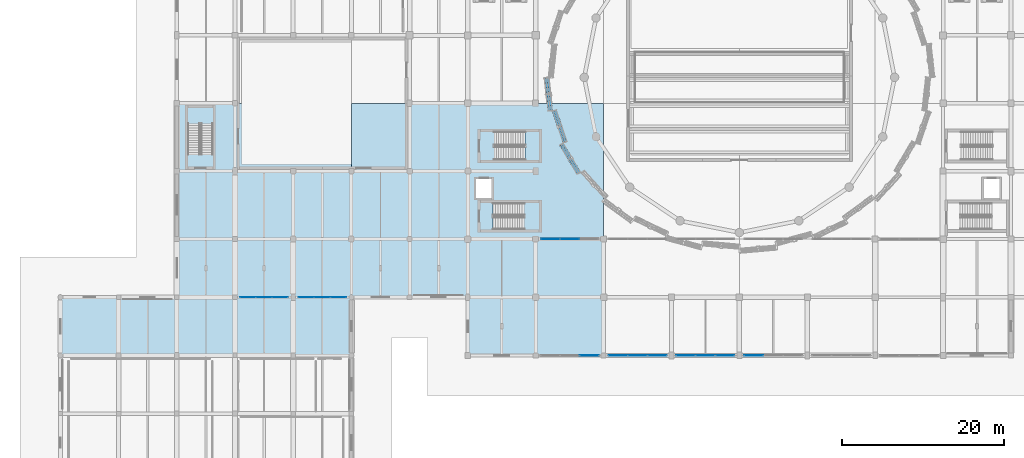
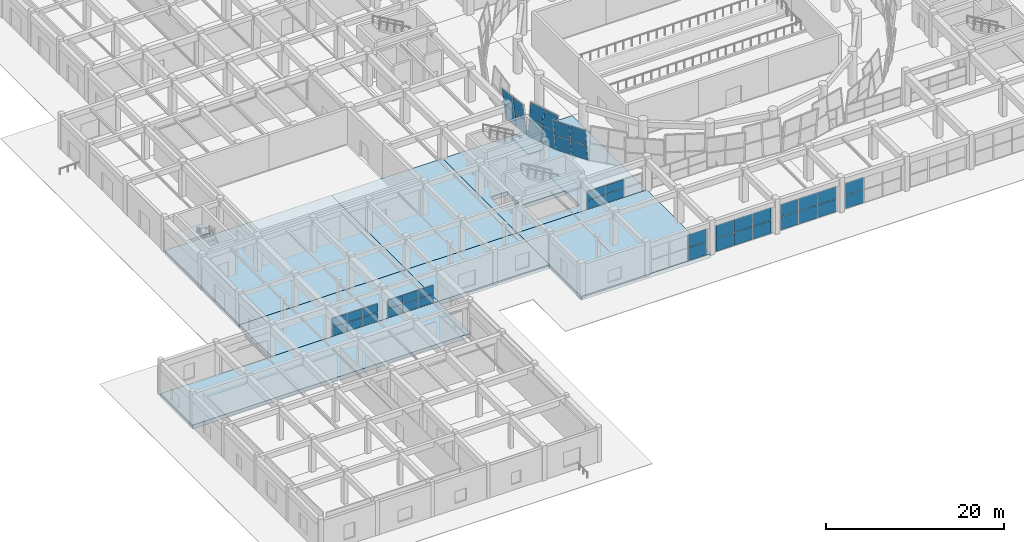
# One storey, part 39 of 72: 44 plates, 10 slabs, 13 elements without a shape of their own.
"""IFC4 building model written with IfcOpenShell, lengths in metres."""

from ifc_helpers import new_model, si_unit, direction, frame, origin, origin_2d, place, context, subcontext, project, spatial, polyline, rectangle, outline, extrude, material, layer, layer_set, type_object, element, aggregate, save


model = new_model("IFC4")

# Units and contexts
model_context = context("Model", 3, precision=1e-05, world=origin(), true_north=direction((0.0, 1.0)))
body_context = subcontext(model_context, "Body", "Model", "MODEL_VIEW")
ifc_project = project(units=[si_unit("LENGTHUNIT", "METRE"), si_unit("AREAUNIT", "SQUARE_METRE"), si_unit("VOLUMEUNIT", "CUBIC_METRE"), si_unit("PLANEANGLEUNIT", "RADIAN"), si_unit("MASSUNIT", "GRAM", prefix="KILO")], contexts=[model_context])

# Site, building, storey
site_placement = place(None, origin())
site = spatial("IfcSite", under=ifc_project, at=site_placement, CompositionType="ELEMENT")
building_placement = place(site_placement, origin())
building = spatial("IfcBuilding", under=site, at=building_placement, Name="Korsvaeld Concert Hall", CompositionType="ELEMENT")
storey_placement = place(building_placement, origin())
storey = spatial("IfcBuildingStorey", under=building, at=storey_placement, Name="L00", CompositionType="ELEMENT", Elevation=0.0)

# Curtain wall, plates
ifc_material_1 = material(Name="Anodised bronze and ceramic-fritted safety glass", Category="glass")
curtain_wall_type_1 = type_object("IfcCurtainWallType", Name="CW-TYPE-11", PredefinedType="USERDEFINED", material=ifc_material_1)
curtain_wall_1_placement = place(storey_placement, origin())
curtain_wall_1 = element("IfcCurtainWall", 1, at=curtain_wall_1_placement, inside=storey, type_object=curtain_wall_type_1, Name="Wintergarden foyer curtain wall L00-03", ObjectType="CURTAIN WALL", PredefinedType="USERDEFINED")
ifc_material_2 = material(Name="Clear acoustic triple safety glazing", Category="glass")
ifc_layer_1 = layer(ifc_material_2, 0.0439453125)
ifc_layer_set_1 = layer_set([ifc_layer_1], Name="Clear acoustic triple safety glazing")
plate_type_1 = type_object("IfcPlateType", Name="CWP-CLEAR-44", PredefinedType="CURTAIN_PANEL", material=ifc_layer_set_1)
plate_1_placement = place(storey_placement, frame((85.78173828125, 28.800048828125, 0.06005859375), z_axis=(0.0, 0.0, 1.0), x_axis=(-1.0, 0.0, 0.0)))
plate_1 = element("IfcPlate", 2, at=plate_1_placement, type_object=plate_type_1, Name="CW-11 panel 3.1", PredefinedType="CURTAIN_PANEL", context=body_context, shape_type="SweptSolid", body=[
    extrude(rectangle(XDim=2.34326171875, YDim=0.0439453125, at=origin_2d()), origin(), (0.0, 0.0, 1.0), 1.72998046875),
])
plate_2_placement = place(storey_placement, frame((85.78173828125, 28.800048828125, 1.85009765625), z_axis=(0.0, 0.0, 1.0), x_axis=(-1.0, 0.0, 0.0)))
plate_2 = element("IfcPlate", 3, at=plate_2_placement, type_object=plate_type_1, Name="CW-11 panel 3.2", PredefinedType="CURTAIN_PANEL", context=body_context, shape_type="SweptSolid", body=[
    extrude(rectangle(XDim=2.34326171875, YDim=0.0439453125, at=origin_2d()), origin(), (0.0, 0.0, 1.0), 1.72998046875),
])
aggregate(curtain_wall_1, [plate_1, plate_2])

curtain_wall_type_2 = type_object("IfcCurtainWallType", Name="CW-TYPE-12", PredefinedType="USERDEFINED", material=ifc_material_1)
curtain_wall_2_placement = place(storey_placement, origin())
curtain_wall_2 = element("IfcCurtainWall", 4, at=curtain_wall_2_placement, inside=storey, type_object=curtain_wall_type_2, Name="Wintergarden foyer curtain wall L00-04", ObjectType="CURTAIN WALL", PredefinedType="USERDEFINED")
plate_3_placement = place(storey_placement, frame((82.21826171875, 28.800048828125, 0.06005859375), z_axis=(0.0, 0.0, 1.0), x_axis=(-1.0, 0.0, 0.0)))
plate_3 = element("IfcPlate", 5, at=plate_3_placement, type_object=plate_type_1, Name="CW-12 panel 1.1", PredefinedType="CURTAIN_PANEL", context=body_context, shape_type="SweptSolid", body=[
    extrude(rectangle(XDim=2.34326171875, YDim=0.0439453125, at=origin_2d()), origin(), (0.0, 0.0, 1.0), 1.72998046875),
])
plate_4_placement = place(storey_placement, frame((82.21826171875, 28.800048828125, 1.85009765625), z_axis=(0.0, 0.0, 1.0), x_axis=(-1.0, 0.0, 0.0)))
plate_4 = element("IfcPlate", 6, at=plate_4_placement, type_object=plate_type_1, Name="CW-12 panel 1.2", PredefinedType="CURTAIN_PANEL", context=body_context, shape_type="SweptSolid", body=[
    extrude(rectangle(XDim=2.34326171875, YDim=0.0439453125, at=origin_2d()), origin(), (0.0, 0.0, 1.0), 1.72998046875),
])
plate_5_placement = place(storey_placement, frame((79.800048828125, 28.800048828125, 0.06005859375), z_axis=(0.0, 0.0, 1.0), x_axis=(-1.0, 0.0, 0.0)))
plate_5 = element("IfcPlate", 7, at=plate_5_placement, type_object=plate_type_1, Name="CW-12 panel 2.1", PredefinedType="CURTAIN_PANEL", context=body_context, shape_type="SweptSolid", body=[
    extrude(rectangle(XDim=2.373291015625, YDim=0.0439453125, at=origin_2d()), origin(), (0.0, 0.0, 1.0), 1.72998046875),
])
plate_6_placement = place(storey_placement, frame((79.800048828125, 28.800048828125, 1.85009765625), z_axis=(0.0, 0.0, 1.0), x_axis=(-1.0, 0.0, 0.0)))
plate_6 = element("IfcPlate", 8, at=plate_6_placement, type_object=plate_type_1, Name="CW-12 panel 2.2", PredefinedType="CURTAIN_PANEL", context=body_context, shape_type="SweptSolid", body=[
    extrude(rectangle(XDim=2.373291015625, YDim=0.0439453125, at=origin_2d()), origin(), (0.0, 0.0, 1.0), 1.72998046875),
])
plate_7_placement = place(storey_placement, frame((77.381591796875, 28.800048828125, 0.06005859375), z_axis=(0.0, 0.0, 1.0), x_axis=(-1.0, 0.0, 0.0)))
plate_7 = element("IfcPlate", 9, at=plate_7_placement, type_object=plate_type_1, Name="CW-12 panel 3.1", PredefinedType="CURTAIN_PANEL", context=body_context, shape_type="SweptSolid", body=[
    extrude(rectangle(XDim=2.34326171875, YDim=0.0439453125, at=origin_2d()), origin(), (0.0, 0.0, 1.0), 1.72998046875),
])
plate_8_placement = place(storey_placement, frame((77.381591796875, 28.800048828125, 1.85009765625), z_axis=(0.0, 0.0, 1.0), x_axis=(-1.0, 0.0, 0.0)))
plate_8 = element("IfcPlate", 10, at=plate_8_placement, type_object=plate_type_1, Name="CW-12 panel 3.2", PredefinedType="CURTAIN_PANEL", context=body_context, shape_type="SweptSolid", body=[
    extrude(rectangle(XDim=2.34326171875, YDim=0.0439453125, at=origin_2d()), origin(), (0.0, 0.0, 1.0), 1.72998046875),
])
aggregate(curtain_wall_2, [plate_3, plate_4, plate_5, plate_6, plate_7, plate_8])

curtain_wall_type_3 = type_object("IfcCurtainWallType", Name="CW-TYPE-13", PredefinedType="USERDEFINED", material=ifc_material_1)
curtain_wall_3_placement = place(storey_placement, origin())
curtain_wall_3 = element("IfcCurtainWall", 11, at=curtain_wall_3_placement, inside=storey, type_object=curtain_wall_type_3, Name="Wintergarden foyer curtain wall L00-05", ObjectType="CURTAIN WALL", PredefinedType="USERDEFINED")
plate_9_placement = place(storey_placement, frame((73.818359375, 28.800048828125, 0.06005859375), z_axis=(0.0, 0.0, 1.0), x_axis=(-1.0, 0.0, 0.0)))
plate_9 = element("IfcPlate", 12, at=plate_9_placement, type_object=plate_type_1, Name="CW-13 panel 1.1", PredefinedType="CURTAIN_PANEL", context=body_context, shape_type="SweptSolid", body=[
    extrude(rectangle(XDim=2.34326171875, YDim=0.0439453125, at=origin_2d()), origin(), (0.0, 0.0, 1.0), 1.7548828125),
])
plate_10_placement = place(storey_placement, frame((73.818359375, 28.800048828125, 1.875), z_axis=(0.0, 0.0, 1.0), x_axis=(-1.0, 0.0, 0.0)))
plate_10 = element("IfcPlate", 13, at=plate_10_placement, type_object=plate_type_1, Name="CW-13 panel 1.2", PredefinedType="CURTAIN_PANEL", context=body_context, shape_type="SweptSolid", body=[
    extrude(rectangle(XDim=2.34326171875, YDim=0.0439453125, at=origin_2d()), origin(), (0.0, 0.0, 1.0), 1.7548828125),
])
plate_11_placement = place(storey_placement, frame((71.39990234375, 28.800048828125, 0.06005859375), z_axis=(0.0, 0.0, 1.0), x_axis=(-1.0, 0.0, 0.0)))
plate_11 = element("IfcPlate", 14, at=plate_11_placement, type_object=plate_type_1, Name="CW-13 panel 2.1", PredefinedType="CURTAIN_PANEL", context=body_context, shape_type="SweptSolid", body=[
    extrude(rectangle(XDim=2.373291015625, YDim=0.0439453125, at=origin_2d()), origin(), (0.0, 0.0, 1.0), 1.7548828125),
])
plate_12_placement = place(storey_placement, frame((71.39990234375, 28.800048828125, 1.875), z_axis=(0.0, 0.0, 1.0), x_axis=(-1.0, 0.0, 0.0)))
plate_12 = element("IfcPlate", 15, at=plate_12_placement, type_object=plate_type_1, Name="CW-13 panel 2.2", PredefinedType="CURTAIN_PANEL", context=body_context, shape_type="SweptSolid", body=[
    extrude(rectangle(XDim=2.373291015625, YDim=0.0439453125, at=origin_2d()), origin(), (0.0, 0.0, 1.0), 1.7548828125),
])
plate_13_placement = place(storey_placement, frame((68.981689453125, 28.800048828125, 0.06005859375), z_axis=(0.0, 0.0, 1.0), x_axis=(-1.0, 0.0, 0.0)))
plate_13 = element("IfcPlate", 16, at=plate_13_placement, type_object=plate_type_1, Name="CW-13 panel 3.1", PredefinedType="CURTAIN_PANEL", context=body_context, shape_type="SweptSolid", body=[
    extrude(rectangle(XDim=2.34326171875, YDim=0.0439453125, at=origin_2d()), origin(), (0.0, 0.0, 1.0), 1.7548828125),
])
plate_14_placement = place(storey_placement, frame((68.981689453125, 28.800048828125, 1.875), z_axis=(0.0, 0.0, 1.0), x_axis=(-1.0, 0.0, 0.0)))
plate_14 = element("IfcPlate", 17, at=plate_14_placement, type_object=plate_type_1, Name="CW-13 panel 3.2", PredefinedType="CURTAIN_PANEL", context=body_context, shape_type="SweptSolid", body=[
    extrude(rectangle(XDim=2.34326171875, YDim=0.0439453125, at=origin_2d()), origin(), (0.0, 0.0, 1.0), 1.7548828125),
])
aggregate(curtain_wall_3, [plate_9, plate_10, plate_11, plate_12, plate_13, plate_14])

curtain_wall_type_4 = type_object("IfcCurtainWallType", Name="CW-TYPE-14", PredefinedType="USERDEFINED", material=ifc_material_1)
curtain_wall_4_placement = place(storey_placement, origin())
curtain_wall_4 = element("IfcCurtainWall", 18, at=curtain_wall_4_placement, inside=storey, type_object=curtain_wall_type_4, Name="Wintergarden foyer curtain wall L00-06", ObjectType="CURTAIN WALL", PredefinedType="USERDEFINED")
plate_15_placement = place(storey_placement, frame((65.418212890625, 28.800048828125, 0.06005859375), z_axis=(0.0, 0.0, 1.0), x_axis=(-1.0, 0.0, 0.0)))
plate_15 = element("IfcPlate", 19, at=plate_15_placement, type_object=plate_type_1, Name="CW-14 panel 1.1", PredefinedType="CURTAIN_PANEL", context=body_context, shape_type="SweptSolid", body=[
    extrude(rectangle(XDim=2.34326171875, YDim=0.0439453125, at=origin_2d()), origin(), (0.0, 0.0, 1.0), 1.7548828125),
])
plate_16_placement = place(storey_placement, frame((65.418212890625, 28.800048828125, 1.875), z_axis=(0.0, 0.0, 1.0), x_axis=(-1.0, 0.0, 0.0)))
plate_16 = element("IfcPlate", 20, at=plate_16_placement, type_object=plate_type_1, Name="CW-14 panel 1.2", PredefinedType="CURTAIN_PANEL", context=body_context, shape_type="SweptSolid", body=[
    extrude(rectangle(XDim=2.34326171875, YDim=0.0439453125, at=origin_2d()), origin(), (0.0, 0.0, 1.0), 1.7548828125),
])
aggregate(curtain_wall_4, [plate_15, plate_16])

curtain_wall_5_placement = place(storey_placement, origin())
curtain_wall_5 = element("IfcCurtainWall", 21, at=curtain_wall_5_placement, inside=storey, type_object=curtain_wall_type_1, Name="Glazed foyer acoustic screen L00-19", ObjectType="CURTAIN WALL", PredefinedType="USERDEFINED")
plate_17_placement = place(storey_placement, frame((60.614990234375, 43.199951171875, 0.06005859375), z_axis=(0.0, 0.0, 1.0), x_axis=(1.0, 0.0, 0.0)))
plate_17 = element("IfcPlate", 22, at=plate_17_placement, type_object=plate_type_1, Name="CW-11 panel 1.1", PredefinedType="CURTAIN_PANEL", context=body_context, shape_type="SweptSolid", body=[
    extrude(rectangle(XDim=2.31005859375, YDim=0.0439453125, at=origin_2d()), origin(), (0.0, 0.0, 1.0), 1.18505859375),
])
plate_18_placement = place(storey_placement, frame((60.614990234375, 43.199951171875, 1.304931640625), z_axis=(0.0, 0.0, 1.0), x_axis=(1.0, 0.0, 0.0)))
plate_18 = element("IfcPlate", 23, at=plate_18_placement, type_object=plate_type_1, Name="CW-11 panel 1.2", PredefinedType="CURTAIN_PANEL", context=body_context, shape_type="SweptSolid", body=[
    extrude(rectangle(XDim=2.31005859375, YDim=0.0439453125, at=origin_2d()), origin(), (0.0, 0.0, 1.0), 1.18505859375),
])
plate_19_placement = place(storey_placement, frame((63.0, 43.199951171875, 0.06005859375), z_axis=(0.0, 0.0, 1.0), x_axis=(1.0, 0.0, 0.0)))
plate_19 = element("IfcPlate", 24, at=plate_19_placement, type_object=plate_type_1, Name="CW-11 panel 2.1", PredefinedType="CURTAIN_PANEL", context=body_context, shape_type="SweptSolid", body=[
    extrude(rectangle(XDim=2.340087890625, YDim=0.0439453125, at=origin_2d()), origin(), (0.0, 0.0, 1.0), 1.18505859375),
])
plate_20_placement = place(storey_placement, frame((63.0, 43.199951171875, 1.304931640625), z_axis=(0.0, 0.0, 1.0), x_axis=(1.0, 0.0, 0.0)))
plate_20 = element("IfcPlate", 25, at=plate_20_placement, type_object=plate_type_1, Name="CW-11 panel 2.2", PredefinedType="CURTAIN_PANEL", context=body_context, shape_type="SweptSolid", body=[
    extrude(rectangle(XDim=2.340087890625, YDim=0.0439453125, at=origin_2d()), origin(), (0.0, 0.0, 1.0), 1.18505859375),
])
aggregate(curtain_wall_5, [plate_17, plate_18, plate_19, plate_20])

curtain_wall_6_placement = place(storey_placement, origin())
curtain_wall_6 = element("IfcCurtainWall", 26, at=curtain_wall_6_placement, inside=storey, type_object=curtain_wall_type_1, Name="Glazed foyer acoustic screen L00-43", ObjectType="CURTAIN WALL", PredefinedType="USERDEFINED")
plate_21_placement = place(storey_placement, frame((23.215087890625, 36.0, 0.06005859375), z_axis=(0.0, 0.0, 1.0), x_axis=(1.0, 0.0, 0.0)))
plate_21 = element("IfcPlate", 27, at=plate_21_placement, type_object=plate_type_1, Name="CW-11 panel 1.1", PredefinedType="CURTAIN_PANEL", context=body_context, shape_type="SweptSolid", body=[
    extrude(rectangle(XDim=1.909912109375, YDim=0.0439453125, at=origin_2d()), origin(), (0.0, 0.0, 1.0), 1.18505859375),
])
plate_22_placement = place(storey_placement, frame((23.215087890625, 36.0, 1.304931640625), z_axis=(0.0, 0.0, 1.0), x_axis=(1.0, 0.0, 0.0)))
plate_22 = element("IfcPlate", 28, at=plate_22_placement, type_object=plate_type_1, Name="CW-11 panel 1.2", PredefinedType="CURTAIN_PANEL", context=body_context, shape_type="SweptSolid", body=[
    extrude(rectangle(XDim=1.909912109375, YDim=0.0439453125, at=origin_2d()), origin(), (0.0, 0.0, 1.0), 1.18505859375),
])
plate_23_placement = place(storey_placement, frame((25.199951171875, 36.0, 0.06005859375), z_axis=(0.0, 0.0, 1.0), x_axis=(1.0, 0.0, 0.0)))
plate_23 = element("IfcPlate", 29, at=plate_23_placement, type_object=plate_type_1, Name="CW-11 panel 2.1", PredefinedType="CURTAIN_PANEL", context=body_context, shape_type="SweptSolid", body=[
    extrude(rectangle(XDim=1.93994140625, YDim=0.0439453125, at=origin_2d()), origin(), (0.0, 0.0, 1.0), 1.18505859375),
])
plate_24_placement = place(storey_placement, frame((25.199951171875, 36.0, 1.304931640625), z_axis=(0.0, 0.0, 1.0), x_axis=(1.0, 0.0, 0.0)))
plate_24 = element("IfcPlate", 30, at=plate_24_placement, type_object=plate_type_1, Name="CW-11 panel 2.2", PredefinedType="CURTAIN_PANEL", context=body_context, shape_type="SweptSolid", body=[
    extrude(rectangle(XDim=1.93994140625, YDim=0.0439453125, at=origin_2d()), origin(), (0.0, 0.0, 1.0), 1.18505859375),
])
plate_25_placement = place(storey_placement, frame((27.18505859375, 36.0, 0.06005859375), z_axis=(0.0, 0.0, 1.0), x_axis=(1.0, 0.0, 0.0)))
plate_25 = element("IfcPlate", 31, at=plate_25_placement, type_object=plate_type_1, Name="CW-11 panel 3.1", PredefinedType="CURTAIN_PANEL", context=body_context, shape_type="SweptSolid", body=[
    extrude(rectangle(XDim=1.909912109375, YDim=0.0439453125, at=origin_2d()), origin(), (0.0, 0.0, 1.0), 1.18505859375),
])
plate_26_placement = place(storey_placement, frame((27.18505859375, 36.0, 1.304931640625), z_axis=(0.0, 0.0, 1.0), x_axis=(1.0, 0.0, 0.0)))
plate_26 = element("IfcPlate", 32, at=plate_26_placement, type_object=plate_type_1, Name="CW-11 panel 3.2", PredefinedType="CURTAIN_PANEL", context=body_context, shape_type="SweptSolid", body=[
    extrude(rectangle(XDim=1.909912109375, YDim=0.0439453125, at=origin_2d()), origin(), (0.0, 0.0, 1.0), 1.18505859375),
])
aggregate(curtain_wall_6, [plate_21, plate_22, plate_23, plate_24, plate_25, plate_26])

curtain_wall_7_placement = place(storey_placement, origin())
curtain_wall_7 = element("IfcCurtainWall", 33, at=curtain_wall_7_placement, inside=storey, type_object=curtain_wall_type_2, Name="Glazed foyer acoustic screen L00-44", ObjectType="CURTAIN WALL", PredefinedType="USERDEFINED")
plate_27_placement = place(storey_placement, frame((30.4150390625, 36.0, 0.06005859375), z_axis=(0.0, 0.0, 1.0), x_axis=(1.0, 0.0, 0.0)))
plate_27 = element("IfcPlate", 34, at=plate_27_placement, type_object=plate_type_1, Name="CW-12 panel 1.1", PredefinedType="CURTAIN_PANEL", context=body_context, shape_type="SweptSolid", body=[
    extrude(rectangle(XDim=1.909912109375, YDim=0.0439453125, at=origin_2d()), origin(), (0.0, 0.0, 1.0), 1.18505859375),
])
plate_28_placement = place(storey_placement, frame((30.4150390625, 36.0, 1.304931640625), z_axis=(0.0, 0.0, 1.0), x_axis=(1.0, 0.0, 0.0)))
plate_28 = element("IfcPlate", 35, at=plate_28_placement, type_object=plate_type_1, Name="CW-12 panel 1.2", PredefinedType="CURTAIN_PANEL", context=body_context, shape_type="SweptSolid", body=[
    extrude(rectangle(XDim=1.909912109375, YDim=0.0439453125, at=origin_2d()), origin(), (0.0, 0.0, 1.0), 1.18505859375),
])
plate_29_placement = place(storey_placement, frame((32.39990234375, 36.0, 0.06005859375), z_axis=(0.0, 0.0, 1.0), x_axis=(1.0, 0.0, 0.0)))
plate_29 = element("IfcPlate", 36, at=plate_29_placement, type_object=plate_type_1, Name="CW-12 panel 2.1", PredefinedType="CURTAIN_PANEL", context=body_context, shape_type="SweptSolid", body=[
    extrude(rectangle(XDim=1.93994140625, YDim=0.0439453125, at=origin_2d()), origin(), (0.0, 0.0, 1.0), 1.18505859375),
])
plate_30_placement = place(storey_placement, frame((32.39990234375, 36.0, 1.304931640625), z_axis=(0.0, 0.0, 1.0), x_axis=(1.0, 0.0, 0.0)))
plate_30 = element("IfcPlate", 37, at=plate_30_placement, type_object=plate_type_1, Name="CW-12 panel 2.2", PredefinedType="CURTAIN_PANEL", context=body_context, shape_type="SweptSolid", body=[
    extrude(rectangle(XDim=1.93994140625, YDim=0.0439453125, at=origin_2d()), origin(), (0.0, 0.0, 1.0), 1.18505859375),
])
plate_31_placement = place(storey_placement, frame((34.385009765625, 36.0, 0.06005859375), z_axis=(0.0, 0.0, 1.0), x_axis=(1.0, 0.0, 0.0)))
plate_31 = element("IfcPlate", 38, at=plate_31_placement, type_object=plate_type_1, Name="CW-12 panel 3.1", PredefinedType="CURTAIN_PANEL", context=body_context, shape_type="SweptSolid", body=[
    extrude(rectangle(XDim=1.909912109375, YDim=0.0439453125, at=origin_2d()), origin(), (0.0, 0.0, 1.0), 1.18505859375),
])
plate_32_placement = place(storey_placement, frame((34.385009765625, 36.0, 1.304931640625), z_axis=(0.0, 0.0, 1.0), x_axis=(1.0, 0.0, 0.0)))
plate_32 = element("IfcPlate", 39, at=plate_32_placement, type_object=plate_type_1, Name="CW-12 panel 3.2", PredefinedType="CURTAIN_PANEL", context=body_context, shape_type="SweptSolid", body=[
    extrude(rectangle(XDim=1.909912109375, YDim=0.0439453125, at=origin_2d()), origin(), (0.0, 0.0, 1.0), 1.18505859375),
])
aggregate(curtain_wall_7, [plate_27, plate_28, plate_29, plate_30, plate_31, plate_32])

curtain_wall_type_5 = type_object("IfcCurtainWallType", Name="CW-TYPE-01", PredefinedType="USERDEFINED", material=ifc_material_1)
curtain_wall_8_placement = place(storey_placement, origin())
curtain_wall_8 = element("IfcCurtainWall", 40, at=curtain_wall_8_placement, inside=storey, type_object=curtain_wall_type_5, Name="Crystal curtain-wall facet L00 F17", ObjectType="CURTAIN WALL", PredefinedType="USERDEFINED")
ifc_material_3 = material(Name="Translucent ceramic-fritted crystal safety glass", Category="glass")
ifc_layer_2 = layer(ifc_material_3, 0.035888671875)
ifc_layer_set_2 = layer_set([ifc_layer_2], Name="Translucent ceramic-fritted crystal safety glass")
plate_type_2 = type_object("IfcPlateType", Name="CWP-CRYSTAL-36", PredefinedType="CURTAIN_PANEL", material=ifc_layer_set_2)
plate_33_placement = place(storey_placement, frame((60.4013671875, 63.124755859375, 0.06005859375), z_axis=(-0.987654746524, -0.10829439526, -0.113183150799), x_axis=(0.108995565552, -0.994042235844, -6.934544e-06)))
plate_33 = element("IfcPlate", 41, at=plate_33_placement, type_object=plate_type_2, Name="CW-CRYS-L00-F17 ceramic-fritted crystal panel 1.1", PredefinedType="CURTAIN_PANEL", context=body_context, shape_type="SweptSolid", body=[
    extrude(outline(polyline([(0.0, 0.0), (1.9677913807868734, 3.469446951953614e-18), (1.9625226028582143, 2.1638203567417276), (-0.005242167683163164, 2.1637928889484397), (0.0, 0.0)])), frame((0.0, 0.0, 0.01806640625)), (0.0, 0.0, -1.0), 0.035888671875),
])
plate_34_placement = place(storey_placement, frame((60.150634765625, 63.1025390625, 2.27001953125), z_axis=(-0.987654746524, -0.10829439526, -0.113183150799), x_axis=(0.108993995054, -0.994042408046, 6.934638e-06)))
plate_34 = element("IfcPlate", 42, at=plate_34_placement, type_object=plate_type_2, Name="CW-CRYS-L00-F17 ceramic-fritted crystal panel 1.2", PredefinedType="CURTAIN_PANEL", context=body_context, shape_type="SweptSolid", body=[
    extrude(outline(polyline([(0.0, 0.0), (1.9677647707330874, 0.0), (1.9625528071767997, 2.1637929619124243), (-0.005238573418361289, 2.1638204300771586), (0.0, 0.0)])), frame((0.0, 0.0, 0.01806640625)), (0.0, 0.0, -1.0), 0.035888671875),
])
plate_35_placement = place(storey_placement, frame((60.6240234375, 61.09423828125, 0.06005859375), z_axis=(-0.987654789516, -0.108287642133, -0.113189236708), x_axis=(0.108988758695, -0.994042982189, -6.173804e-06)))
plate_35 = element("IfcPlate", 43, at=plate_35_placement, type_object=plate_type_2, Name="CW-CRYS-L00-F17 ceramic-fritted crystal panel 2.1", PredefinedType="CURTAIN_PANEL", context=body_context, shape_type="SweptSolid", body=[
    extrude(outline(polyline([(0.0, 0.0), (1.968034066205228, 0.0), (1.9627686016601027, 2.16382036550323), (-0.00499616968651099, 2.163795909486172), (0.0, 0.0)])), frame((0.0, 0.0, 0.01806640625)), (0.0, 0.0, -1.0), 0.035888671875),
])
plate_36_placement = place(storey_placement, frame((60.373291015625, 61.072021484375, 2.27001953125), z_axis=(-0.987653371732, -0.108294244517, -0.11319529103), x_axis=(0.108993994886, -0.994042408065, 6.935372e-06)))
plate_36 = element("IfcPlate", 44, at=plate_36_placement, type_object=plate_type_2, Name="CW-CRYS-L00-F17 ceramic-fritted crystal panel 2.2", PredefinedType="CURTAIN_PANEL", context=body_context, shape_type="SweptSolid", body=[
    extrude(outline(polyline([(0.0, 0.0), (1.9677647707330979, -3.469446951953614e-18), (1.9627954949314659, 2.163795970720444), (-0.004995885663664343, 2.1638234418314637), (0.0, 0.0)])), frame((0.0, 0.0, 0.01806640625)), (0.0, 0.0, -1.0), 0.035888671875),
])
aggregate(curtain_wall_8, [plate_33, plate_34, plate_35, plate_36])

curtain_wall_type_6 = type_object("IfcCurtainWallType", Name="CW-TYPE-02", PredefinedType="USERDEFINED", material=ifc_material_1)
curtain_wall_9_placement = place(storey_placement, origin())
curtain_wall_9 = element("IfcCurtainWall", 45, at=curtain_wall_9_placement, inside=storey, type_object=curtain_wall_type_6, Name="Crystal curtain-wall facet L00 F18", ObjectType="CURTAIN WALL", PredefinedType="USERDEFINED")
plate_37_placement = place(storey_placement, frame((60.884033203125, 58.994873046875, 0.06005859375), z_axis=(-0.941373275649, -0.317882160799, 0.11299242337), x_axis=(0.319931285196, -0.947440748938, 2.207461e-06)))
plate_37 = element("IfcPlate", 46, at=plate_37_placement, type_object=plate_type_2, Name="CW-CRYS-L00-F18 ceramic-fritted crystal panel 1.1", PredefinedType="CURTAIN_PANEL", context=body_context, shape_type="SweptSolid", body=[
    extrude(outline(polyline([(0.0, 0.0), (1.9862437568794762, 1.3877787807814457e-17), (2.0010230552188437, 2.1637549387204356), (0.01454798956277153, 2.163763764865277), (0.0, 0.0)])), frame((0.0, 0.0, 0.01806640625)), (0.0, 0.0, -1.0), 0.035888671875),
])
plate_38_placement = place(storey_placement, frame((61.126953125, 59.06103515625, 2.27001953125), z_axis=(-0.941373275649, -0.317882160799, 0.11299242337), x_axis=(0.319931285196, -0.947440748938, 2.207461e-06)))
plate_38 = element("IfcPlate", 47, at=plate_38_placement, type_object=plate_type_2, Name="CW-CRYS-L00-F18 ceramic-fritted crystal panel 1.2", PredefinedType="CURTAIN_PANEL", context=body_context, shape_type="SweptSolid", body=[
    extrude(outline(polyline([(0.0, 0.0), (1.9862437568794762, 1.3877787807814457e-17), (2.0010230552188437, 2.1637549387204356), (0.01454798956277153, 2.163763764865277), (0.0, 0.0)])), frame((0.0, 0.0, 0.01806640625)), (0.0, 0.0, -1.0), 0.035888671875),
])
plate_39_placement = place(storey_placement, frame((61.54345703125, 57.041748046875, 0.06005859375), z_axis=(-0.94136511925, -0.317900026649, 0.113010111568), x_axis=(0.319949676143, -0.947434538497, 0.0)))
plate_39 = element("IfcPlate", 48, at=plate_39_placement, type_object=plate_type_2, Name="CW-CRYS-L00-F18 ceramic-fritted crystal panel 2.1", PredefinedType="CURTAIN_PANEL", context=body_context, shape_type="SweptSolid", body=[
    extrude(outline(polyline([(0.0, 0.0), (1.9862437572585203, 0.0), (2.000791747576604, 2.163763765208145), (0.014547990318083723, 2.163763765208145), (0.0, 0.0)])), frame((0.0, 0.0, 0.01806640625)), (0.0, 0.0, -1.0), 0.035888671875),
])
plate_40_placement = place(storey_placement, frame((61.786376953125, 57.108154296875, 2.27001953125), z_axis=(-0.941386053967, -0.317825414212, 0.113045581412), x_axis=(0.319876348588, -0.947459298121, 4.331709e-06)))
plate_40 = element("IfcPlate", 49, at=plate_40_placement, type_object=plate_type_2, Name="CW-CRYS-L00-F18 ceramic-fritted crystal panel 2.2", PredefinedType="CURTAIN_PANEL", context=body_context, shape_type="SweptSolid", body=[
    extrude(outline(polyline([(0.0, 0.0), (1.9864750645963212, 0.0), (2.0010134424659607, 2.1637638284768874), (0.01484778598651136, 2.1637811478188986), (0.0, 0.0)])), frame((0.0, 0.0, 0.01806640625)), (0.0, 0.0, -1.0), 0.035888671875),
])
aggregate(curtain_wall_9, [plate_37, plate_38, plate_39, plate_40])

curtain_wall_type_7 = type_object("IfcCurtainWallType", Name="CW-TYPE-03", PredefinedType="USERDEFINED", material=ifc_material_1)
curtain_wall_10_placement = place(storey_placement, origin())
curtain_wall_10 = element("IfcCurtainWall", 50, at=curtain_wall_10_placement, inside=storey, type_object=curtain_wall_type_7, Name="Crystal curtain-wall facet L00 F19", ObjectType="CURTAIN WALL", PredefinedType="USERDEFINED")
plate_41_placement = place(storey_placement, frame((62.228515625, 55.019775390625, 0.06005859375), z_axis=(-0.85389163974, -0.508095848075, -0.112728331628), x_axis=(0.511354967734, -0.859369592761, 3.461034e-06)))
plate_41 = element("IfcPlate", 51, at=plate_41_placement, type_object=plate_type_2, Name="CW-CRYS-L00-F19 ceramic-fritted crystal panel 1.1", PredefinedType="CURTAIN_PANEL", context=body_context, shape_type="SweptSolid", body=[
    extrude(outline(polyline([(0.0, 0.0), (2.0201464947764314, 2.7755575615628914e-17), (1.9983525470947756, 2.163687100649114), (-0.021584140652173123, 2.163701173216749), (0.0, 0.0)])), frame((0.0, 0.0, 0.01806640625)), (0.0, 0.0, -1.0), 0.035888671875),
])
plate_42_placement = place(storey_placement, frame((62.001708984375, 54.91064453125, 2.27001953125), z_axis=(-0.853900415295, -0.508076752026, -0.112747925961), x_axis=(0.511336663319, -0.859380484251, 5.818552e-06)))
plate_42 = element("IfcPlate", 52, at=plate_42_placement, type_object=plate_type_2, Name="CW-CRYS-L00-F19 ceramic-fritted crystal panel 1.2", PredefinedType="CURTAIN_PANEL", context=body_context, shape_type="SweptSolid", body=[
    extrude(outline(polyline([(0.0, 0.0), (2.01981184786764, -2.7755575615628914e-17), (1.998028162490397, 2.16368720237101), (-0.021908523429811283, 2.1637108586999854), (0.0, 0.0)])), frame((0.0, 0.0, 0.01806640625)), (0.0, 0.0, -1.0), 0.035888671875),
])
plate_43_placement = place(storey_placement, frame((63.2998046875, 53.21923828125, 0.06005859375), z_axis=(-0.853878744405, -0.508123905426, -0.11269954121), x_axis=(0.511381861684, -0.859353589357, 0.0)))
plate_43 = element("IfcPlate", 53, at=plate_43_placement, type_object=plate_type_2, Name="CW-CRYS-L00-F19 ceramic-fritted crystal panel 2.1", PredefinedType="CURTAIN_PANEL", context=body_context, shape_type="SweptSolid", body=[
    extrude(outline(polyline([(0.0, 0.0), (2.0199366887482033, -2.7755575615628914e-17), (1.998127668928639, 2.1636869496700144), (-0.021809019819564346, 2.1636869496700144), (0.0, 0.0)])), frame((0.0, 0.0, 0.01806640625)), (0.0, 0.0, -1.0), 0.035888671875),
])
plate_44_placement = place(storey_placement, frame((63.072998046875, 53.1103515625, 2.27001953125), z_axis=(-0.853913307203, -0.508048695046, -0.1127767141), x_axis=(0.511310444951, -0.859396083816, 2.357353e-06)))
plate_44 = element("IfcPlate", 54, at=plate_44_placement, type_object=plate_type_2, Name="CW-CRYS-L00-F19 ceramic-fritted crystal panel 2.2", PredefinedType="CURTAIN_PANEL", context=body_context, shape_type="SweptSolid", body=[
    extrude(outline(polyline([(0.0, 0.0), (2.01981185011602, 0.0), (1.9982379763559814, 2.163701276087484), (-0.021908518908663483, 2.1637108608446134), (0.0, 0.0)])), frame((0.0, 0.0, 0.01806640625)), (0.0, 0.0, -1.0), 0.035888671875),
])
aggregate(curtain_wall_10, [plate_41, plate_42, plate_43, plate_44])

# Slabs
ifc_material_4 = material(Name="Concrete C35/45", Category="concrete")
ifc_layer_3 = layer(ifc_material_4, 0.550048828125)
ifc_layer_set_3 = layer_set([ifc_layer_3], Name="Concrete C35/45")
slab_type_1 = type_object("IfcSlabType", Name="SLB-GND-550", PredefinedType="BASESLAB", material=ifc_layer_set_3)
slab_1_placement = place(storey_placement, frame((0.0, 0.0, -0.550048828125)))
element("IfcSlab", 55, at=slab_1_placement, inside=storey, type_object=slab_type_1, Name="Structural slab L00 V4_SW 1.3", PredefinedType="BASESLAB", context=body_context, shape_type="SweptSolid", body=[
    extrude(outline(polyline([(0.0, 28.800048828125), (0.0, 36.0), (36.0, 36.0), (36.0, 28.800048828125), (0.0, 28.800048828125)])), origin(), (0.0, 0.0, 1.0), 0.550048828125),
])
slab_2_placement = place(storey_placement, frame((0.0, 0.0, -0.550048828125)))
element("IfcSlab", 56, at=slab_2_placement, inside=storey, type_object=slab_type_1, Name="Structural slab L00 V4_PASS_W 1.1", PredefinedType="BASESLAB", context=body_context, shape_type="SweptSolid", body=[
    extrude(outline(polyline([(14.39990234375, 36.0), (14.39990234375, 43.199951171875), (36.0, 43.199951171875), (36.0, 36.0), (14.39990234375, 36.0)])), origin(), (0.0, 0.0, 1.0), 0.550048828125),
])
slab_3_placement = place(storey_placement, frame((0.0, 0.0, -0.550048828125)))
element("IfcSlab", 57, at=slab_3_placement, inside=storey, type_object=slab_type_1, Name="Structural slab L00 V4_PASS_W 2.1", PredefinedType="BASESLAB", context=body_context, shape_type="SweptSolid", body=[
    extrude(outline(polyline([(36.0, 36.0), (36.0, 43.199951171875), (50.39990234375, 43.199951171875), (50.39990234375, 36.0), (36.0, 36.0)])), origin(), (0.0, 0.0, 1.0), 0.550048828125),
])
slab_4_placement = place(storey_placement, frame((0.0, 0.0, -0.550048828125)))
element("IfcSlab", 58, at=slab_4_placement, inside=storey, type_object=slab_type_1, Name="Structural slab L00 V4_PASS_C 1.1", PredefinedType="BASESLAB", context=body_context, shape_type="SweptSolid", body=[
    extrude(outline(polyline([(50.39990234375, 28.800048828125), (50.39990234375, 43.199951171875), (67.199951171875, 43.199951171875), (67.199951171875, 28.800048828125), (50.39990234375, 28.800048828125)])), origin(), (0.0, 0.0, 1.0), 0.550048828125),
])
slab_5_placement = place(storey_placement, frame((0.0, 0.0, -0.550048828125)))
element("IfcSlab", 59, at=slab_5_placement, inside=storey, type_object=slab_type_1, Name="Structural slab L00 V3_L00 1.1", PredefinedType="BASESLAB", context=body_context, shape_type="SweptSolid", body=[
    extrude(outline(polyline([(14.39990234375, 43.199951171875), (14.39990234375, 60.0), (36.0, 60.0), (36.0, 43.199951171875), (14.39990234375, 43.199951171875)])), origin(), (0.0, 0.0, 1.0), 0.550048828125),
])
slab_6_placement = place(storey_placement, frame((0.0, 0.0, -0.550048828125)))
element("IfcSlab", 60, at=slab_6_placement, inside=storey, type_object=slab_type_1, Name="Structural slab L00 V3_L00 2.1", PredefinedType="BASESLAB", context=body_context, shape_type="SweptSolid", body=[
    extrude(outline(polyline([(36.0, 43.199951171875), (36.0, 60.0), (50.39990234375, 60.0), (50.39990234375, 43.199951171875), (36.0, 43.199951171875)])), origin(), (0.0, 0.0, 1.0), 0.550048828125),
])
slab_7_placement = place(storey_placement, frame((0.0, 0.0, -0.550048828125)))
element("IfcSlab", 61, at=slab_7_placement, inside=storey, type_object=slab_type_1, Name="Structural slab L00 V1_L00 1.1", PredefinedType="BASESLAB", context=body_context, shape_type="SweptSolid", body=[
    extrude(outline(polyline([(50.39990234375, 43.199951171875), (50.39990234375, 60.0), (67.199951171875, 60.0), (67.199951171875, 43.199951171875), (50.39990234375, 43.199951171875)]), holes=[polyline([(59.205078125, 47.64501953125), (53.544921875, 47.64501953125), (53.544921875, 44.39501953125), (59.205078125, 44.39501953125), (59.205078125, 47.64501953125)]), polyline([(53.5, 50.75), (51.300048828125, 50.75), (51.300048828125, 48.14990234375), (53.5, 48.14990234375), (53.5, 50.75)])]), origin(), (0.0, 0.0, 1.0), 0.550048828125),
])

# Stair, slab
ifc_material_5 = material(Name="Precast concrete C40/50", Category="concrete")
stair_type_1 = type_object("IfcStairType", Name="STR-HT-155-48", PredefinedType="HALF_TURN_STAIR", material=ifc_material_5)
stair_1_placement = place(storey_placement, origin())
stair_1 = element("IfcStair", 62, at=stair_1_placement, inside=storey, type_object=stair_type_1, Name="L00 ST-K3", PredefinedType="HALF_TURN_STAIR")
ifc_layer_4 = layer(ifc_material_5, 0.179931640625)
ifc_layer_set_4 = layer_set([ifc_layer_4], Name="Precast concrete C40/50")
slab_type_2 = type_object("IfcSlabType", Name="SLB-LANDING-180", PredefinedType="LANDING", material=ifc_layer_set_4)
slab_8_placement = place(storey_placement, frame((0.0, 0.0, 2.219970703125)))
slab_8 = element("IfcSlab", 63, at=slab_8_placement, type_object=slab_type_2, Name="ST-K3 landing 1", PredefinedType="LANDING", context=body_context, shape_type="SweptSolid", body=[
    extrude(outline(polyline([(57.360107421875, 44.31005859375), (57.360107421875, 47.72998046875), (59.2900390625, 47.72998046875), (59.2900390625, 44.31005859375), (57.360107421875, 44.31005859375)])), origin(), (0.0, 0.0, 1.0), 0.179931640625),
])
aggregate(stair_1, [slab_8])

stair_type_2 = type_object("IfcStairType", Name="STR-HT-165-48", PredefinedType="HALF_TURN_STAIR", material=ifc_material_5)
stair_2_placement = place(storey_placement, origin())
stair_2 = element("IfcStair", 64, at=stair_2_placement, inside=storey, type_object=stair_type_2, Name="L00 ST-F1", PredefinedType="HALF_TURN_STAIR")
slab_9_placement = place(storey_placement, frame((0.0, 0.0, 2.219970703125)))
slab_9 = element("IfcSlab", 65, at=slab_9_placement, type_object=slab_type_2, Name="ST-F1 landing 1", PredefinedType="LANDING", context=body_context, shape_type="SweptSolid", body=[
    extrude(outline(polyline([(57.4599609375, 52.909912109375), (57.4599609375, 56.530029296875), (59.2900390625, 56.530029296875), (59.2900390625, 52.909912109375), (57.4599609375, 52.909912109375)])), origin(), (0.0, 0.0, 1.0), 0.179931640625),
])
aggregate(stair_2, [slab_9])

stair_type_3 = type_object("IfcStairType", Name="STR-HT-145-48", PredefinedType="HALF_TURN_STAIR", material=ifc_material_5)
stair_3_placement = place(storey_placement, origin())
stair_3 = element("IfcStair", 66, at=stair_3_placement, inside=storey, type_object=stair_type_3, Name="L00 ST-F3", PredefinedType="HALF_TURN_STAIR")
slab_10_placement = place(storey_placement, frame((0.0, 0.0, 2.219970703125)))
slab_10 = element("IfcSlab", 67, at=slab_10_placement, type_object=slab_type_2, Name="ST-F3 landing 1", PredefinedType="LANDING", context=body_context, shape_type="SweptSolid", body=[
    extrude(outline(polyline([(18.929931640625, 57.4599609375), (15.7099609375, 57.4599609375), (15.7099609375, 59.489990234375), (18.929931640625, 59.489990234375), (18.929931640625, 57.4599609375)])), origin(), (0.0, 0.0, 1.0), 0.179931640625),
])
aggregate(stair_3, [slab_10])

save(model, "model.ifc")
